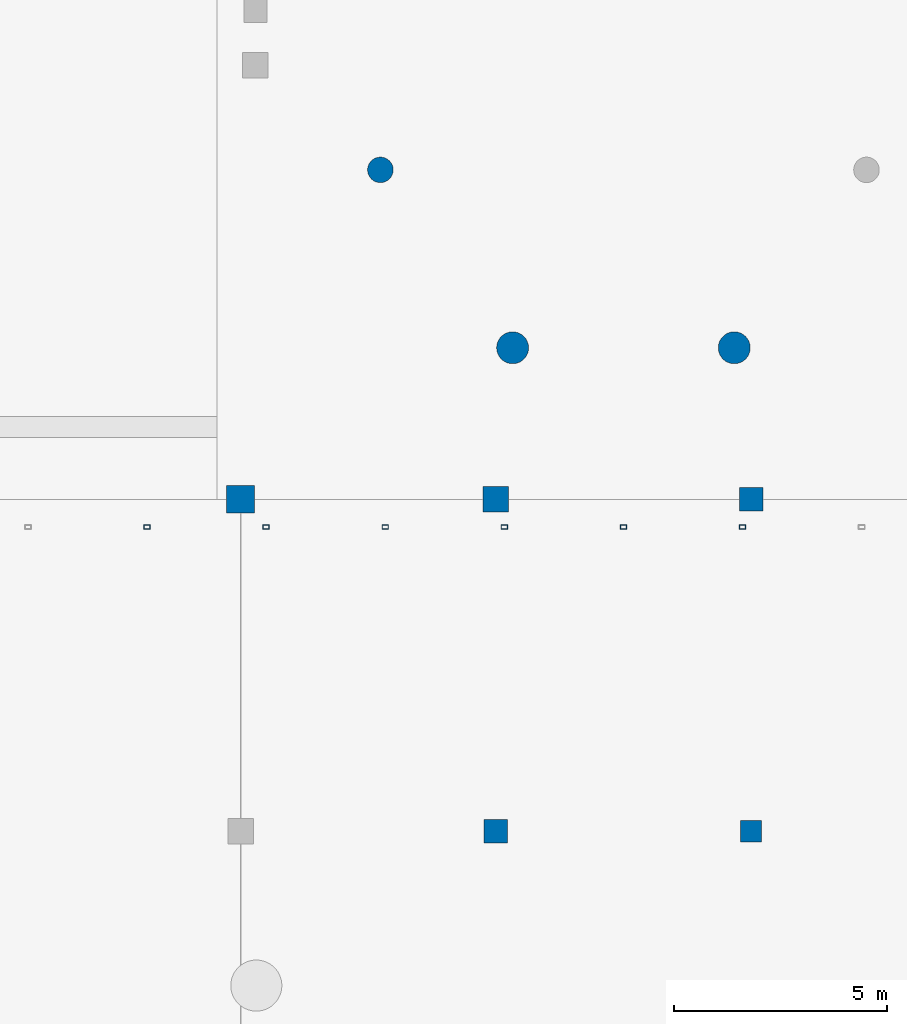
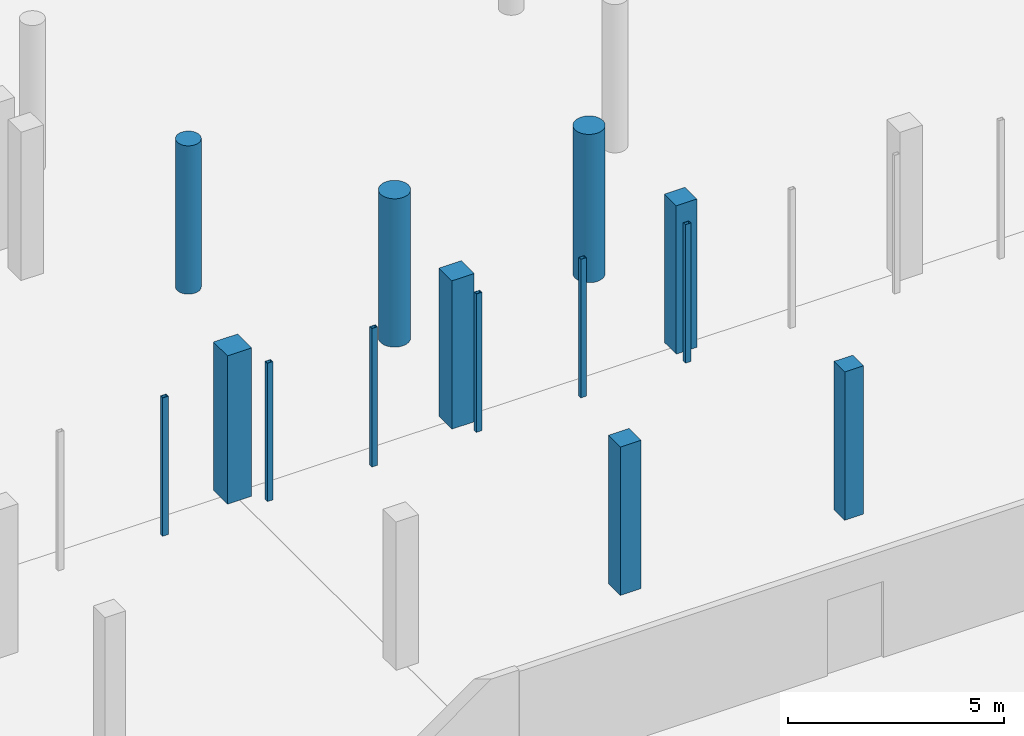
# One storey, part 10 of 34: 14 columns.
"""IFC4 building model written with IfcOpenShell, lengths in metres."""

from ifc_helpers import new_model, si_unit, direction, frame, origin, origin_2d, place, context, subcontext, project, spatial, rectangle, hollow_rectangle, circle, extrude, material, material_profile, profile_set, type_object, element, save


model = new_model("IFC4")

# Units and contexts
model_context = context("Model", 3, precision=1e-05, world=origin(), true_north=direction((0.0, 1.0)))
body_context = subcontext(model_context, "Body", "Model", "MODEL_VIEW")
ifc_project = project(units=[si_unit("LENGTHUNIT", "METRE"), si_unit("AREAUNIT", "SQUARE_METRE"), si_unit("VOLUMEUNIT", "CUBIC_METRE"), si_unit("PLANEANGLEUNIT", "RADIAN"), si_unit("MASSUNIT", "GRAM", prefix="KILO")], contexts=[model_context])

# Site, building, storey
site_placement = place(None, origin())
site = spatial("IfcSite", under=ifc_project, at=site_placement, CompositionType="ELEMENT")
building_placement = place(site_placement, origin())
building = spatial("IfcBuilding", under=site, at=building_placement, Name="Vinh Khe Railworks Police Headquarters", CompositionType="ELEMENT")
storey_placement = place(building_placement, frame((0.0, 0.0, -4.199951171875)))
storey = spatial("IfcBuildingStorey", under=building, at=storey_placement, Name="B1", CompositionType="ELEMENT", Elevation=-4.199951171875)

# Columns
ifc_material_1 = material(Name="Steel S355JR", Category="steel")
ifc_material_profile_1 = material_profile(ifc_material_1, hollow_rectangle(XDim=0.14990234375, YDim=0.10009765625, WallThickness=0.008056640625, at=origin_2d()), Name="RHS 150x100x8")
ifc_profile_set_1 = profile_set([ifc_material_profile_1], Name="Steel S355JR")
column_type_1 = type_object("IfcColumnType", Name="COL-QUILT-POST", PredefinedType="COLUMN", material=ifc_profile_set_1)
for number, where, z_axis, x_axis, name in (
    (1, (32.0, 24.550048828125, 0.0), (0.0, 0.0, 1.0), (1.0, 0.0, 0.0), "Patchwork Quilt Plinth Column S-3 (B1)"),
    (2, (34.800048828125, 24.550048828125, 0.0), (0.0, 0.0, 1.0), (1.0, 0.0, 0.0), "Patchwork Quilt Plinth Column S-4 (B1)"),
    (3, (37.60009765625, 24.550048828125, 0.0), (0.0, 0.0, 1.0), (1.0, 0.0, 0.0), "Patchwork Quilt Plinth Column S-5 (B1)"),
    (4, (40.39990234375, 24.550048828125, 0.0), (0.0, 0.0, 1.0), (1.0, 0.0, 0.0), "Patchwork Quilt Plinth Column S-6 (B1)"),
    (5, (43.199951171875, 24.550048828125, 0.0), (0.0, 0.0, 1.0), (1.0, 0.0, 0.0), "Patchwork Quilt Plinth Column S-7 (B1)"),
    (6, (46.0, 24.550048828125, 0.0), (0.0, 0.0, 1.0), (1.0, 0.0, 0.0), "Patchwork Quilt Plinth Column S-8 (B1)"),
):
    element("IfcColumn", number, at=place(storey_placement, frame(where, z_axis=z_axis, x_axis=x_axis)), inside=storey, type_object=column_type_1, Name=name, PredefinedType="COLUMN", context=body_context, shape_type="SweptSolid", body=[
        extrude(hollow_rectangle(XDim=0.14990234375, YDim=0.10009765625, WallThickness=0.008056640625, at=origin_2d()), origin(), (0.0, 0.0, 1.0), 3.919921875),
    ])
ifc_material_2 = material(Name="Concrete C40/50 (B40)", Category="concrete")
ifc_material_profile_2 = material_profile(ifc_material_2, rectangle(XDim=0.5, YDim=0.5, at=origin_2d()), Name="RC 500x500")
ifc_profile_set_2 = profile_set([ifc_material_profile_2], Name="Concrete C40/50 (B40)")
column_type_2 = type_object("IfcColumnType", Name="RC Column RC 500x500", PredefinedType="COLUMN", material=ifc_profile_set_2)
column_1_placement = place(storey_placement, frame((46.199951171875, 17.39990234375, 0.0), z_axis=(0.0, 0.0, 1.0), x_axis=(1.0, 0.0, 0.0)))
element("IfcColumn", 7, at=column_1_placement, inside=storey, type_object=column_type_2, Name="Column COL-B1-CC-07-0904", PredefinedType="COLUMN", context=body_context, shape_type="SweptSolid", body=[
    extrude(rectangle(XDim=0.5, YDim=0.5, at=origin_2d()), origin(), (0.0, 0.0, 1.0), 4.199951171875),
])
ifc_material_profile_3 = material_profile(ifc_material_2, rectangle(XDim=0.550048828125, YDim=0.550048828125, at=origin_2d()), Name="RC 550x550")
ifc_profile_set_3 = profile_set([ifc_material_profile_3], Name="Concrete C40/50 (B40)")
column_type_3 = type_object("IfcColumnType", Name="RC Column RC 550x550", PredefinedType="COLUMN", material=ifc_profile_set_3)
for number, where, z_axis, x_axis, name in (
    (8, (40.199951171875, 17.39990234375, 0.0), (0.0, 0.0, 1.0), (1.0, 0.0, 0.0), "Column COL-B1-CC-06-0855"),
    (9, (46.199951171875, 25.199951171875, 0.0), (0.0, 0.0, 1.0), (1.0, 0.0, 0.0), "Column COL-B1-CC-06-0907"),
):
    element("IfcColumn", number, at=place(storey_placement, frame(where, z_axis=z_axis, x_axis=x_axis)), inside=storey, type_object=column_type_3, Name=name, PredefinedType="COLUMN", context=body_context, shape_type="SweptSolid", body=[
        extrude(rectangle(XDim=0.550048828125, YDim=0.550048828125, at=origin_2d()), origin(), (0.0, 0.0, 1.0), 4.199951171875),
    ])
ifc_material_profile_4 = material_profile(ifc_material_2, rectangle(XDim=0.60009765625, YDim=0.60009765625, at=origin_2d()), Name="RC 600x600")
ifc_profile_set_4 = profile_set([ifc_material_profile_4], Name="Concrete C40/50 (B40)")
column_type_4 = type_object("IfcColumnType", Name="RC Column RC 600x600", PredefinedType="COLUMN", material=ifc_profile_set_4)
column_2_placement = place(storey_placement, frame((40.199951171875, 25.199951171875, 0.0), z_axis=(0.0, 0.0, 1.0), x_axis=(1.0, 0.0, 0.0)))
element("IfcColumn", 10, at=column_2_placement, inside=storey, type_object=column_type_4, Name="Column COL-B1-CC-05-0858", PredefinedType="COLUMN", context=body_context, shape_type="SweptSolid", body=[
    extrude(rectangle(XDim=0.60009765625, YDim=0.60009765625, at=origin_2d()), origin(), (0.0, 0.0, 1.0), 4.199951171875),
])
ifc_material_profile_5 = material_profile(ifc_material_2, rectangle(XDim=0.64990234375, YDim=0.64990234375, at=origin_2d()), Name="RC 650x650")
ifc_profile_set_5 = profile_set([ifc_material_profile_5], Name="Concrete C40/50 (B40)")
column_type_5 = type_object("IfcColumnType", Name="RC Column RC 650x650", PredefinedType="COLUMN", material=ifc_profile_set_5)
column_3_placement = place(storey_placement, frame((34.199951171875, 25.199951171875, 0.0), z_axis=(0.0, 0.0, 1.0), x_axis=(1.0, 0.0, 0.0)))
element("IfcColumn", 11, at=column_3_placement, inside=storey, type_object=column_type_5, Name="Column COL-B1-CC-04-0789", PredefinedType="COLUMN", context=body_context, shape_type="SweptSolid", body=[
    extrude(rectangle(XDim=0.64990234375, YDim=0.64990234375, at=origin_2d()), origin(), (0.0, 0.0, 1.0), 4.199951171875),
])
ifc_material_profile_6 = material_profile(ifc_material_2, circle(Radius=0.300048828125, at=origin_2d()), Name="RC-CIRC D600")
ifc_profile_set_6 = profile_set([ifc_material_profile_6], Name="Concrete C40/50 (B40)")
column_type_6 = type_object("IfcColumnType", Name="RC Column RC-CIRC D600", PredefinedType="COLUMN", material=ifc_profile_set_6)
column_4_placement = place(storey_placement, frame((37.48681640625, 32.944091796875, 0.0), z_axis=(0.0, 0.0, 1.0), x_axis=(-0.946480392435, -0.322761315426, 0.0)))
element("IfcColumn", 12, at=column_4_placement, inside=storey, type_object=column_type_6, Name="Column COL-B1-CC-11-0839", PredefinedType="COLUMN", context=body_context, shape_type="SweptSolid", body=[
    extrude(circle(Radius=0.300048828125, at=origin_2d()), origin(), (0.0, 0.0, 1.0), 4.199951171875),
])
ifc_material_profile_7 = material_profile(ifc_material_2, circle(Radius=0.375, at=origin_2d()), Name="RC-CIRC D750")
ifc_profile_set_7 = profile_set([ifc_material_profile_7], Name="Concrete C40/50 (B40)")
column_type_7 = type_object("IfcColumnType", Name="RC Column RC-CIRC D750", PredefinedType="COLUMN", material=ifc_profile_set_7)
for number, where, z_axis, x_axis, name in (
    (13, (40.594970703125, 28.762451171875, 0.0), (0.0, 0.0, 1.0), (-0.30552912238, -0.952182732136, 0.0), "Column COL-B1-CC-12-0878"),
    (14, (45.80517578125, 28.762451171875, 0.0), (0.0, 0.0, 1.0), (0.581981048437, -0.813202348287, 0.0), "Column COL-B1-CC-12-0888"),
):
    element("IfcColumn", number, at=place(storey_placement, frame(where, z_axis=z_axis, x_axis=x_axis)), inside=storey, type_object=column_type_7, Name=name, PredefinedType="COLUMN", context=body_context, shape_type="SweptSolid", body=[
        extrude(circle(Radius=0.375, at=origin_2d()), origin(), (0.0, 0.0, 1.0), 4.199951171875),
    ])

save(model, "model.ifc")
